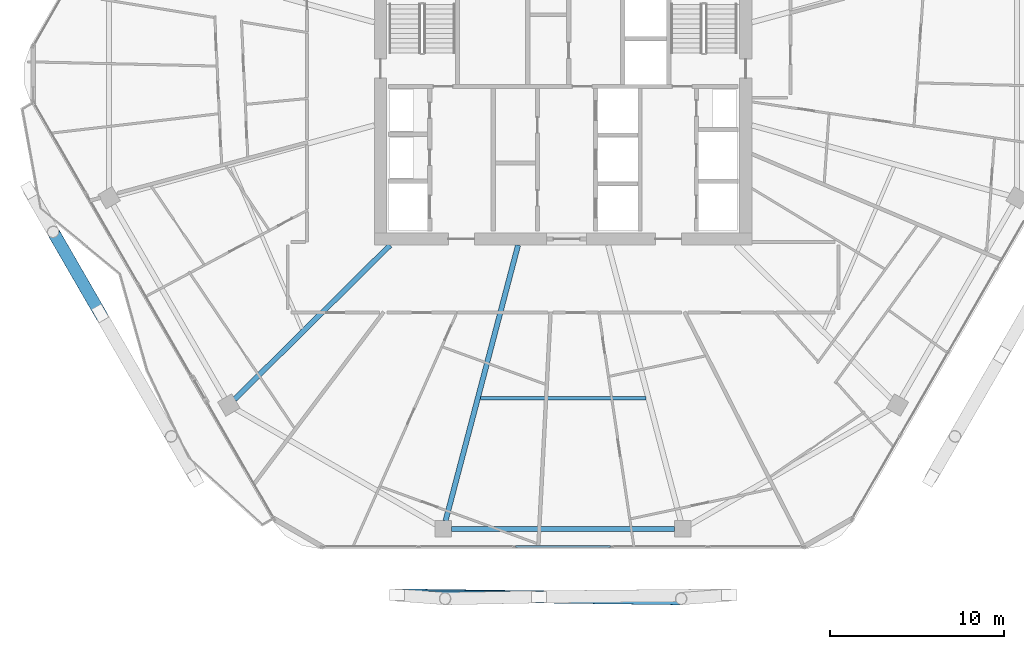
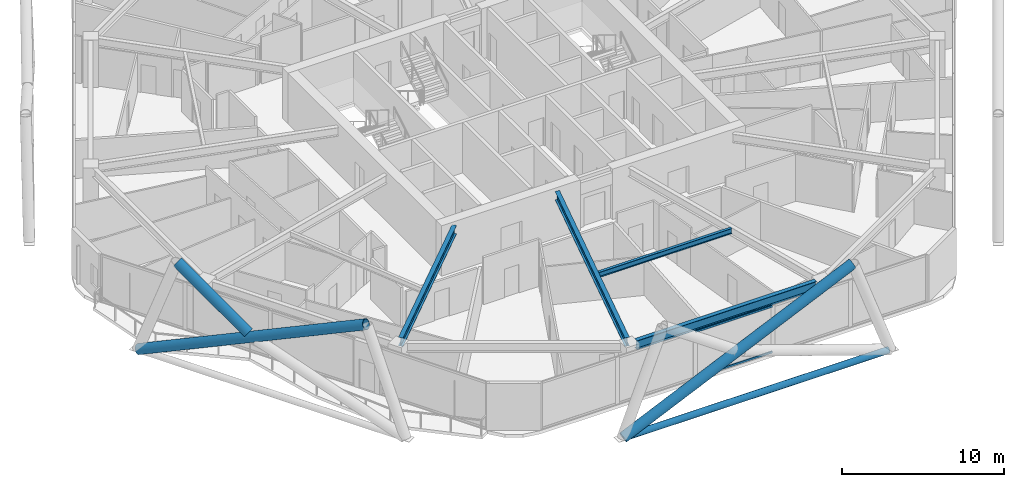
# One storey, part 4 of 29: 6 members, 4 beams, 1 element without a shape of its own.
"""IFC4 building model written with IfcOpenShell, lengths in metres."""

import ifcopenshell
import ifcopenshell.guid

model = None  # the IFC model being written
_history = None  # IfcOwnerHistory: only IFC2X3 demands one
_inside = {}  # id of a spatial element -> (the spatial element, [elements in it])
_under = {}  # id of a project, library or spatial element -> (it, [spatial elements below it])
_declared = {}  # id of a project -> (the project, [libraries it declares])
_typed = {}  # id of a type object -> (the type object, [elements of that type])
_made_of = {}  # id of a material, layer set ... -> (it, [elements and type objects made of it])


def new_model(schema):
    """Start an empty IFC model of exactly this schema.

    Asked for "IFC4X3", IfcOpenShell would pick the latest addendum, in which some entities
    have other attributes; the version numbers below select the first issue.
    IFC2X3 requires an IfcOwnerHistory on every rooted entity: one is made here for all.
    """
    global model, _history
    if schema == "IFC4X3":
        model = ifcopenshell.file(schema_version=(4, 3, 0, 0))
    else:
        model = ifcopenshell.file(schema=schema)
    _inside.clear()
    _under.clear()
    _declared.clear()
    _typed.clear()
    _made_of.clear()
    _history = None
    if model.schema == "IFC2X3":
        org = make("IfcOrganization", Name="unknown")
        user = make(
            "IfcPersonAndOrganization",
            ThePerson=make("IfcPerson", FamilyName="unknown"),
            TheOrganization=org,
        )
        app = make(
            "IfcApplication",
            ApplicationDeveloper=org,
            Version="unknown",
            ApplicationFullName="unknown",
            ApplicationIdentifier="unknown",
        )
        _history = make(
            "IfcOwnerHistory",
            OwningUser=user,
            OwningApplication=app,
            ChangeAction="ADDED",
            CreationDate=0,
        )
    return model


def make(cls, **values):
    """One entity of the class cls with the attributes given. An attribute that is None is left unset."""
    return model.create_entity(
        cls, **{name: value for name, value in values.items() if value is not None}
    )


def rooted(cls, **values):
    """An entity with a GlobalId (a new one), such as an element, a storey or a relation."""
    return make(cls, GlobalId=ifcopenshell.guid.new(), OwnerHistory=_history, **values)


def si_unit(unit_type, name, prefix=None):
    """IfcSIUnit, for example si_unit("LENGTHUNIT", "METRE", prefix="MILLI")."""
    return make("IfcSIUnit", UnitType=unit_type, Prefix=prefix, Name=name)


def assignment(units):
    """IfcUnitAssignment: the units of a project."""
    return None if units is None else make("IfcUnitAssignment", Units=units)


def point(xyz):
    """IfcCartesianPoint."""
    return None if xyz is None else make("IfcCartesianPoint", Coordinates=xyz)


def direction(xyz):
    """IfcDirection."""
    return None if xyz is None else make("IfcDirection", DirectionRatios=xyz)


def frame(location, z_axis=None, x_axis=None):
    """IfcAxis2Placement3D, a coordinate frame: its origin and axes. An axis left out is left unset."""
    return make(
        "IfcAxis2Placement3D",
        Location=point(location),
        Axis=direction(z_axis),
        RefDirection=direction(x_axis),
    )


def frame_2d(location, x_axis=None):
    """IfcAxis2Placement2D, a coordinate frame in the plane: its origin and x axis."""
    return make(
        "IfcAxis2Placement2D", Location=point(location), RefDirection=direction(x_axis)
    )


def origin():
    """The frame at (0, 0, 0) with its axes left unset."""
    return frame((0.0, 0.0, 0.0))


def origin_2d():
    """The frame at (0, 0) in the plane with its x axis left unset."""
    return frame_2d((0.0, 0.0))


def place(relative_to, where):
    """IfcLocalPlacement: puts the frame where relative to a parent placement (None: the world)."""
    return make(
        "IfcLocalPlacement", PlacementRelTo=relative_to, RelativePlacement=where
    )


def context(
    kind, dimensions, precision=None, world=None, true_north=None, identifier=None
):
    """IfcGeometricRepresentationContext, for example the 3D "Model" context."""
    return make(
        "IfcGeometricRepresentationContext",
        ContextIdentifier=identifier,
        ContextType=kind,
        CoordinateSpaceDimension=dimensions,
        Precision=precision,
        WorldCoordinateSystem=world,
        TrueNorth=true_north,
    )


def subcontext(parent, identifier, kind, view, scale=None):
    """IfcGeometricRepresentationSubContext, for example "Body" below "Model"."""
    return make(
        "IfcGeometricRepresentationSubContext",
        ContextIdentifier=identifier,
        ContextType=kind,
        ParentContext=parent,
        TargetScale=scale,
        TargetView=view,
    )


def project(units=None, contexts=None):
    """IfcProject with its units and contexts."""
    return rooted(
        "IfcProject",
        Name="project",
        RepresentationContexts=contexts,
        UnitsInContext=assignment(units),
    )


def spatial(cls, under=None, at=None, **own):
    """A site, building, storey or space (cls), placed at a placement, below another one or the project."""
    s = rooted(cls, ObjectPlacement=at, **own)
    if under is not None:
        _under.setdefault(under.id(), (under, []))[1].append(s)
    return s


def profile(cls, at=None, kind="AREA", **sizes):
    """A parametric profile (cls). Its sizes go by their IFC names, for example OverallWidth=200.0."""
    return make(cls, ProfileType=kind, Position=at, **sizes)


def hollow_rectangle(**sizes):
    """IfcRectangleHollowProfileDef."""
    return profile("IfcRectangleHollowProfileDef", **sizes)


def hollow_circle(**sizes):
    """IfcCircleHollowProfileDef."""
    return profile("IfcCircleHollowProfileDef", **sizes)


def i_section(**sizes):
    """IfcIShapeProfileDef."""
    return profile("IfcIShapeProfileDef", **sizes)


def extrude(swept, where, along, depth):
    """IfcExtrudedAreaSolid: the profile swept, set in the frame where, extruded along a direction by depth."""
    return make(
        "IfcExtrudedAreaSolid",
        SweptArea=swept,
        Position=where,
        ExtrudedDirection=direction(along),
        Depth=depth,
    )


def shape(context_of_items, identifier, shape_type, items):
    """IfcShapeRepresentation: the items that make up one representation, for example the "Body"."""
    return make(
        "IfcShapeRepresentation",
        ContextOfItems=context_of_items,
        RepresentationIdentifier=identifier,
        RepresentationType=shape_type,
        Items=items,
    )


def material(Name=None, Category=None):
    """IfcMaterial."""
    return make("IfcMaterial", Name=Name, Category=Category)


def material_profile(
    of_material, cross_section, Name=None, Category=None, Priority=None
):
    """IfcMaterialProfile: a cross section and its material."""
    return make(
        "IfcMaterialProfile",
        Name=Name,
        Material=of_material,
        Profile=cross_section,
        Priority=Priority,
        Category=Category,
    )


def profile_set(profiles, Name=None, composite=None):
    """IfcMaterialProfileSet."""
    return make(
        "IfcMaterialProfileSet",
        Name=Name,
        MaterialProfiles=profiles,
        CompositeProfile=composite,
    )


def made_of(thing, what):
    """Note that an element or type object is made of a material, layer set ...; save() writes the relation."""
    if what is not None:
        _made_of.setdefault(what.id(), (what, []))[1].append(thing)
    return thing


def type_object(cls, material=None, **own):
    """A type object (cls), such as IfcWallType, which elements share."""
    return made_of(rooted(cls, **own), material)


def element(
    cls,
    number,
    at=None,
    inside=None,
    cuts=None,
    type_object=None,
    material=None,
    context=None,
    identifier="Body",
    shape_type=None,
    held_by="IfcProductDefinitionShape",
    body=None,
    shapes=None,
    **own,
):
    """One element of the class cls, such as IfcWall. Its Tag is "e" and its number.

    at: its placement. inside: the storey or other place that contains it. cuts: it is an
    opening in that element (IfcRelVoidsElement). A single representation is given by context,
    identifier, shape_type and body (its items); several are given by shapes. held_by: the class
    of the entity that holds the representations. save() writes the other relations.
    """
    e = rooted(cls, Tag="e%d" % number, ObjectPlacement=at, **own)
    if body is not None:
        shapes = [shape(context, identifier, shape_type, body)]
    if shapes is not None:
        e.Representation = make(held_by, Representations=shapes)
    if inside is not None:
        _inside.setdefault(inside.id(), (inside, []))[1].append(e)
    if cuts is not None:
        rooted(
            "IfcRelVoidsElement", RelatingBuildingElement=cuts, RelatedOpeningElement=e
        )
    if type_object is not None:
        _typed.setdefault(type_object.id(), (type_object, []))[1].append(e)
    return made_of(e, material)


def aggregate(whole, parts):
    """IfcRelAggregates: a whole, such as a stair, and the parts it consists of."""
    return rooted("IfcRelAggregates", RelatingObject=whole, RelatedObjects=parts)


def save(model, path):
    """Write the relations noted so far, then the file.

    IfcRelAggregates (storeys below a building ...), IfcRelContainedInSpatialStructure (elements
    in a storey), IfcRelDefinesByType, IfcRelAssociatesMaterial and IfcRelDeclares: one each for
    every whole, place, type object, material and project.
    """
    for whole, parts in _under.values():
        aggregate(whole, parts)
    for where, things in _inside.values():
        rooted(
            "IfcRelContainedInSpatialStructure",
            RelatedElements=things,
            RelatingStructure=where,
        )
    for kind, things in _typed.values():
        rooted("IfcRelDefinesByType", RelatedObjects=things, RelatingType=kind)
    for what, things in _made_of.values():
        rooted("IfcRelAssociatesMaterial", RelatedObjects=things, RelatingMaterial=what)
    for by, libraries in _declared.values():
        rooted("IfcRelDeclares", RelatingContext=by, RelatedDefinitions=libraries)
    model.write(path)


model = new_model("IFC4")

# Units and contexts
model_context = context("Model", 3, precision=1e-05, world=origin(), true_north=direction((0.0, 1.0)))
body_context = subcontext(model_context, "Body", "Model", "MODEL_VIEW")
ifc_project = project(units=[si_unit("LENGTHUNIT", "METRE"), si_unit("AREAUNIT", "SQUARE_METRE"), si_unit("VOLUMEUNIT", "CUBIC_METRE"), si_unit("PLANEANGLEUNIT", "RADIAN"), si_unit("MASSUNIT", "GRAM", prefix="KILO")], contexts=[model_context])

# Site, building, storey
site_placement = place(None, origin())
site = spatial("IfcSite", under=ifc_project, at=site_placement, CompositionType="ELEMENT")
building_placement = place(site_placement, origin())
building = spatial("IfcBuilding", under=site, at=building_placement, Name="Zuhravey Tower", CompositionType="ELEMENT")
storey_placement = place(building_placement, frame((0.0, 0.0, 192.199951171875)))
storey = spatial("IfcBuildingStorey", under=building, at=storey_placement, Name="L48", CompositionType="ELEMENT", Elevation=192.199951171875)

# Curtain wall, members
ifc_material_1 = material(Name="Thermally broken anodised aluminium", Category="aluminium")
curtain_wall_type = type_object("IfcCurtainWallType", Name="Zone 1-2 Residential Curtain Wall CW3", PredefinedType="NOTDEFINED", material=ifc_material_1)
curtain_wall_placement = place(storey_placement, origin())
curtain_wall = element("IfcCurtainWall", 1, at=curtain_wall_placement, inside=storey, type_object=curtain_wall_type, Name="L48 CW3 CW-L48-F5-1", PredefinedType="NOTDEFINED")
ifc_material_2 = material(Name="Anodised aluminium", Category="aluminium")
ifc_material_profile_1 = material_profile(ifc_material_2, hollow_rectangle(XDim=0.090087890625, YDim=0.14990234375, WallThickness=0.0048828125, at=origin_2d()), Name="ALU-RHS-90x150x5")
ifc_profile_set_1 = profile_set([ifc_material_profile_1], Name="Anodised aluminium")
member_type_1 = type_object("IfcMemberType", Name="Curtain-Wall Transom 90x150", PredefinedType="USERDEFINED", material=ifc_profile_set_1)
member_1_placement = place(storey_placement, frame((38.727294921875, 4.81689453125, 0.045166015625), z_axis=(-1.0, 0.0, 0.0), x_axis=(0.0, -1.0, 0.0)))
member_1 = element("IfcMember", 2, at=member_1_placement, type_object=member_type_1, Name="CW3 transom 3.1", ObjectType="TRANSOM", PredefinedType="USERDEFINED", context=body_context, shape_type="SweptSolid", body=[
    extrude(hollow_rectangle(XDim=0.090087890625, YDim=0.14990234375, WallThickness=0.0048828125, at=origin_2d()), origin(), (0.0, 0.0, 1.0), 5.45458984375),
])
member_2_placement = place(storey_placement, frame((38.727294921875, 4.81689453125, 3.505126953125), z_axis=(-1.0, 0.0, 0.0), x_axis=(0.0, -1.0, 0.0)))
member_2 = element("IfcMember", 3, at=member_2_placement, type_object=member_type_1, Name="CW3 transom 3.2", ObjectType="TRANSOM", PredefinedType="USERDEFINED", context=body_context, shape_type="SweptSolid", body=[
    extrude(hollow_rectangle(XDim=0.090087890625, YDim=0.14990234375, WallThickness=0.0048828125, at=origin_2d()), origin(), (0.0, 0.0, 1.0), 5.45458984375),
])
aggregate(curtain_wall, [member_1, member_2])

# Members
ifc_material_3 = material(Name="Steel SM355", Category="steel")
ifc_material_profile_2 = material_profile(ifc_material_3, hollow_circle(Radius=0.228515625, WallThickness=0.02197265625, at=origin_2d()), Name="CHS-457.2x22")
ifc_profile_set_2 = profile_set([ifc_material_profile_2], Name="Steel SM355")
member_type_2 = type_object("IfcMemberType", Name="Exoskeleton Ring Tie CHS457x22", PredefinedType="CHORD", material=ifc_profile_set_2)
member_3_placement = place(storey_placement, frame((26.5849609375, 2.02685546875, -0.4638671875), z_axis=(1.0, 0.0, 0.0), x_axis=(0.0, 1.0, 0.0)))
element("IfcMember", 4, at=member_3_placement, inside=storey, type_object=member_type_2, Name="L48 Exoskeleton Face 5 Tie EXR1", PredefinedType="CHORD", context=body_context, shape_type="SweptSolid", body=[
    extrude(hollow_circle(Radius=0.228515625, WallThickness=0.02197265625, at=origin_2d()), origin(), (0.0, 0.0, 1.0), 18.830078125),
])
ifc_material_4 = material(Name="Steel SM460", Category="steel")
ifc_material_profile_3 = material_profile(ifc_material_4, hollow_circle(Radius=0.355712890625, WallThickness=0.031982421875, at=origin_2d()), Name="CHS-711.2x32")
ifc_profile_set_3 = profile_set([ifc_material_profile_3], Name="Steel SM460")
member_type_3 = type_object("IfcMemberType", Name="Exoskeleton Zone 2 Diagrid CHS711x32", PredefinedType="BRACE", material=ifc_profile_set_3)
member_4_placement = place(storey_placement, frame((5.3125, 25.26611328125, -0.44384765625), z_axis=(0.453340993402, -0.785214389504, 0.42180600543), x_axis=(0.866026715089, 0.499997728747, 0.0)))
element("IfcMember", 5, at=member_4_placement, inside=storey, type_object=member_type_3, Name="L48 Face 4 Diagrid Brace 2", PredefinedType="BRACE", context=body_context, shape_type="SweptSolid", body=[
    extrude(hollow_circle(Radius=0.355712890625, WallThickness=0.031982421875, at=origin_2d()), origin(), (0.0, 0.0, 1.0), 17.922607421875),
])
member_5_placement = place(storey_placement, frame((9.23388671875, 18.47412109375, 3.534912109375), z_axis=(-0.408775424455, 0.70798015044, 0.575905164887), x_axis=(-0.866013277291, -0.500021003115, 0.0)))
element("IfcMember", 6, at=member_5_placement, inside=storey, type_object=member_type_3, Name="L48 Face 4 Split Diagrid Brace 3B", PredefinedType="BRACE", context=body_context, shape_type="SweptSolid", body=[
    extrude(hollow_circle(Radius=0.355712890625, WallThickness=0.031982421875, at=origin_2d()), origin(), (0.0, 0.0, 1.0), 6.205322265625),
])
member_6_placement = place(storey_placement, frame((26.488037109375, 2.0263671875, -0.44384765625), z_axis=(0.906623739194, -0.011659704338, 0.421778907514), x_axis=(0.012859513521, 0.999917313037, 0.0)))
element("IfcMember", 7, at=member_6_placement, inside=storey, type_object=member_type_3, Name="L48 Face 5 Diagrid Brace 2", PredefinedType="BRACE", context=body_context, shape_type="SweptSolid", body=[
    extrude(hollow_circle(Radius=0.355712890625, WallThickness=0.031982421875, at=origin_2d()), origin(), (0.0, 0.0, 1.0), 17.923583984375),
])

# Beams
ifc_material_profile_4 = material_profile(ifc_material_3, i_section(OverallWidth=0.300048828125, OverallDepth=0.679931640625, WebThickness=0.012939453125, FlangeThickness=0.02197265625, at=origin_2d()), Name="H-680x300x13x22")
ifc_profile_set_4 = profile_set([ifc_material_profile_4], Name="Steel SM355")
beam_type_1 = type_object("IfcBeamType", Name="Perimeter Ring Beam H680x300", PredefinedType="BEAM", material=ifc_profile_set_4)
beam_1_placement = place(storey_placement, frame((29.595947265625, 5.826904296875, 3.2099609375), z_axis=(1.0, 0.0, 0.0), x_axis=(0.0, 1.0, 0.0)))
element("IfcBeam", 8, at=beam_1_placement, inside=storey, type_object=beam_type_1, Name="L48 PB2 BM-L48-PB-09", PredefinedType="BEAM", context=body_context, shape_type="SweptSolid", body=[
    extrude(i_section(OverallWidth=0.300048828125, OverallDepth=0.679931640625, WebThickness=0.012939453125, FlangeThickness=0.02197265625, at=origin_2d()), origin(), (0.0, 0.0, 1.0), 12.80810546875),
])
ifc_material_profile_5 = material_profile(ifc_material_3, i_section(OverallWidth=0.300048828125, OverallDepth=0.64990234375, WebThickness=0.012939453125, FlangeThickness=0.02197265625, at=origin_2d()), Name="H-650x300x13x22")
ifc_profile_set_5 = profile_set([ifc_material_profile_5], Name="Steel SM355")
beam_type_2 = type_object("IfcBeamType", Name="Radial Primary Girder H650x300", PredefinedType="BEAM", material=ifc_profile_set_5)
beam_2_placement = place(storey_placement, frame((26.054443359375, 22.14697265625, 3.22509765625), z_axis=(-0.710406645816, -0.703791444663, 0.0), x_axis=(0.703791444663, -0.710406645816, 0.0)))
element("IfcBeam", 9, at=beam_2_placement, inside=storey, type_object=beam_type_2, Name="L48 RG2 BM-L48-RAD-08", PredefinedType="BEAM", context=body_context, shape_type="SweptSolid", body=[
    extrude(i_section(OverallWidth=0.300048828125, OverallDepth=0.64990234375, WebThickness=0.012939453125, FlangeThickness=0.02197265625, at=origin_2d()), origin(), (0.0, 0.0, 1.0), 12.5849609375),
])
beam_3_placement = place(storey_placement, frame((33.4091796875, 22.14697265625, 3.22509765625), z_axis=(-0.254299806285, -0.967125435775, 0.0), x_axis=(0.967125435775, -0.254299806285, 0.0)))
element("IfcBeam", 10, at=beam_3_placement, inside=storey, type_object=beam_type_2, Name="L48 RG2 BM-L48-RAD-09", PredefinedType="BEAM", context=body_context, shape_type="SweptSolid", body=[
    extrude(i_section(OverallWidth=0.300048828125, OverallDepth=0.64990234375, WebThickness=0.012939453125, FlangeThickness=0.02197265625, at=origin_2d()), origin(), (0.0, 0.0, 1.0), 16.396728515625),
])
ifc_material_profile_6 = material_profile(ifc_material_3, i_section(OverallWidth=0.199951171875, OverallDepth=0.39990234375, WebThickness=0.008056640625, FlangeThickness=0.012939453125, at=origin_2d()), Name="H-400x200x8x13")
ifc_profile_set_6 = profile_set([ifc_material_profile_6], Name="Steel SM355")
beam_type_3 = type_object("IfcBeamType", Name="Secondary Floor Joist H400x200", PredefinedType="JOIST", material=ifc_profile_set_6)
beam_4_placement = place(storey_placement, frame((31.245849609375, 13.334228515625, 3.35009765625), z_axis=(1.0, 0.0, 0.0), x_axis=(0.0, 1.0, 0.0)))
element("IfcBeam", 11, at=beam_4_placement, inside=storey, type_object=beam_type_3, Name="L48 SJ2 BM-L48-SJ-09-1", PredefinedType="JOIST", context=body_context, shape_type="SweptSolid", body=[
    extrude(i_section(OverallWidth=0.199951171875, OverallDepth=0.39990234375, WebThickness=0.008056640625, FlangeThickness=0.012939453125, at=origin_2d()), origin(), (0.0, 0.0, 1.0), 9.50830078125),
])

save(model, "model.ifc")
